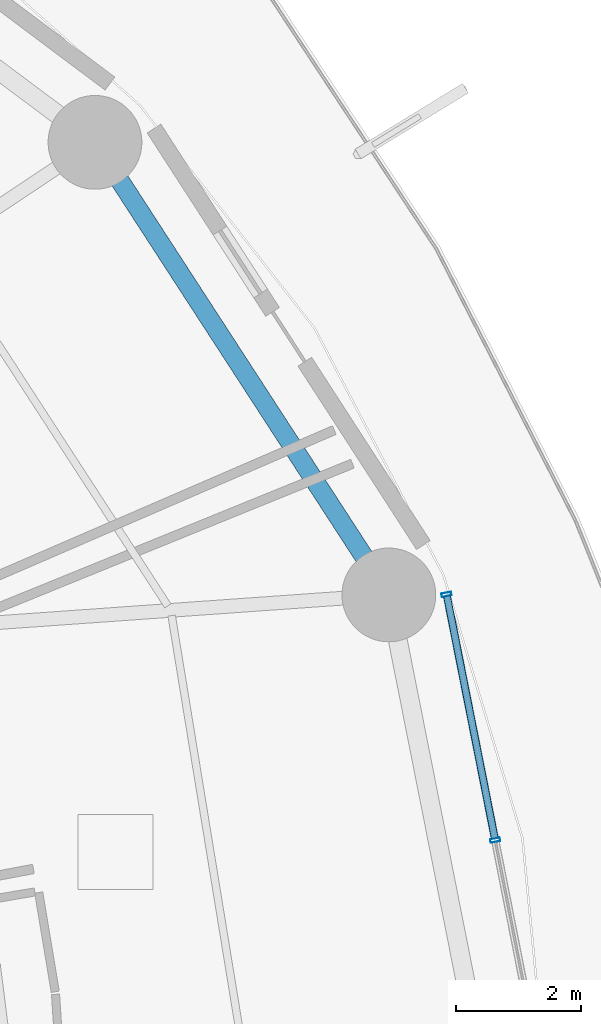
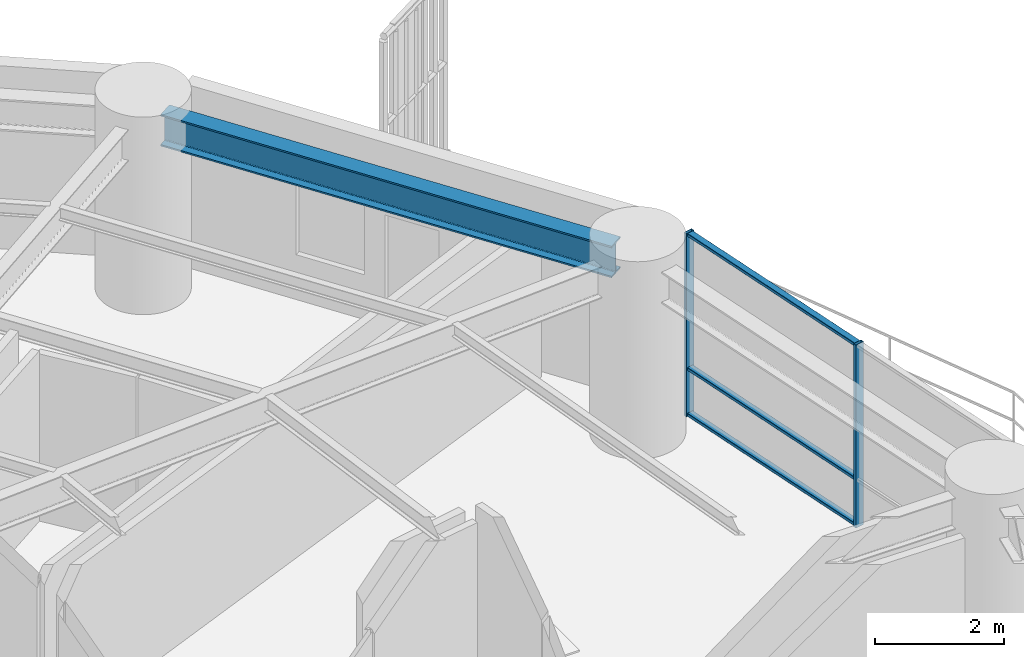
# One storey, part 20 of 34: 5 members, 1 beam, 1 element without a shape of its own.
"""IFC4 building model written with IfcOpenShell, lengths in metres."""

import ifcopenshell
import ifcopenshell.guid

model = None  # the IFC model being written
_history = None  # IfcOwnerHistory: only IFC2X3 demands one
_inside = {}  # id of a spatial element -> (the spatial element, [elements in it])
_under = {}  # id of a project, library or spatial element -> (it, [spatial elements below it])
_declared = {}  # id of a project -> (the project, [libraries it declares])
_typed = {}  # id of a type object -> (the type object, [elements of that type])
_made_of = {}  # id of a material, layer set ... -> (it, [elements and type objects made of it])


def new_model(schema):
    """Start an empty IFC model of exactly this schema.

    Asked for "IFC4X3", IfcOpenShell would pick the latest addendum, in which some entities
    have other attributes; the version numbers below select the first issue.
    IFC2X3 requires an IfcOwnerHistory on every rooted entity: one is made here for all.
    """
    global model, _history
    if schema == "IFC4X3":
        model = ifcopenshell.file(schema_version=(4, 3, 0, 0))
    else:
        model = ifcopenshell.file(schema=schema)
    _inside.clear()
    _under.clear()
    _declared.clear()
    _typed.clear()
    _made_of.clear()
    _history = None
    if model.schema == "IFC2X3":
        org = make("IfcOrganization", Name="unknown")
        user = make(
            "IfcPersonAndOrganization",
            ThePerson=make("IfcPerson", FamilyName="unknown"),
            TheOrganization=org,
        )
        app = make(
            "IfcApplication",
            ApplicationDeveloper=org,
            Version="unknown",
            ApplicationFullName="unknown",
            ApplicationIdentifier="unknown",
        )
        _history = make(
            "IfcOwnerHistory",
            OwningUser=user,
            OwningApplication=app,
            ChangeAction="ADDED",
            CreationDate=0,
        )
    return model


def make(cls, **values):
    """One entity of the class cls with the attributes given. An attribute that is None is left unset."""
    return model.create_entity(
        cls, **{name: value for name, value in values.items() if value is not None}
    )


def rooted(cls, **values):
    """An entity with a GlobalId (a new one), such as an element, a storey or a relation."""
    return make(cls, GlobalId=ifcopenshell.guid.new(), OwnerHistory=_history, **values)


def si_unit(unit_type, name, prefix=None):
    """IfcSIUnit, for example si_unit("LENGTHUNIT", "METRE", prefix="MILLI")."""
    return make("IfcSIUnit", UnitType=unit_type, Prefix=prefix, Name=name)


def assignment(units):
    """IfcUnitAssignment: the units of a project."""
    return None if units is None else make("IfcUnitAssignment", Units=units)


def point(xyz):
    """IfcCartesianPoint."""
    return None if xyz is None else make("IfcCartesianPoint", Coordinates=xyz)


def direction(xyz):
    """IfcDirection."""
    return None if xyz is None else make("IfcDirection", DirectionRatios=xyz)


def frame(location, z_axis=None, x_axis=None):
    """IfcAxis2Placement3D, a coordinate frame: its origin and axes. An axis left out is left unset."""
    return make(
        "IfcAxis2Placement3D",
        Location=point(location),
        Axis=direction(z_axis),
        RefDirection=direction(x_axis),
    )


def frame_2d(location, x_axis=None):
    """IfcAxis2Placement2D, a coordinate frame in the plane: its origin and x axis."""
    return make(
        "IfcAxis2Placement2D", Location=point(location), RefDirection=direction(x_axis)
    )


def origin():
    """The frame at (0, 0, 0) with its axes left unset."""
    return frame((0.0, 0.0, 0.0))


def origin_2d():
    """The frame at (0, 0) in the plane with its x axis left unset."""
    return frame_2d((0.0, 0.0))


def place(relative_to, where):
    """IfcLocalPlacement: puts the frame where relative to a parent placement (None: the world)."""
    return make(
        "IfcLocalPlacement", PlacementRelTo=relative_to, RelativePlacement=where
    )


def context(
    kind, dimensions, precision=None, world=None, true_north=None, identifier=None
):
    """IfcGeometricRepresentationContext, for example the 3D "Model" context."""
    return make(
        "IfcGeometricRepresentationContext",
        ContextIdentifier=identifier,
        ContextType=kind,
        CoordinateSpaceDimension=dimensions,
        Precision=precision,
        WorldCoordinateSystem=world,
        TrueNorth=true_north,
    )


def subcontext(parent, identifier, kind, view, scale=None):
    """IfcGeometricRepresentationSubContext, for example "Body" below "Model"."""
    return make(
        "IfcGeometricRepresentationSubContext",
        ContextIdentifier=identifier,
        ContextType=kind,
        ParentContext=parent,
        TargetScale=scale,
        TargetView=view,
    )


def project(units=None, contexts=None):
    """IfcProject with its units and contexts."""
    return rooted(
        "IfcProject",
        Name="project",
        RepresentationContexts=contexts,
        UnitsInContext=assignment(units),
    )


def spatial(cls, under=None, at=None, **own):
    """A site, building, storey or space (cls), placed at a placement, below another one or the project."""
    s = rooted(cls, ObjectPlacement=at, **own)
    if under is not None:
        _under.setdefault(under.id(), (under, []))[1].append(s)
    return s


def profile(cls, at=None, kind="AREA", **sizes):
    """A parametric profile (cls). Its sizes go by their IFC names, for example OverallWidth=200.0."""
    return make(cls, ProfileType=kind, Position=at, **sizes)


def hollow_rectangle(**sizes):
    """IfcRectangleHollowProfileDef."""
    return profile("IfcRectangleHollowProfileDef", **sizes)


def i_section(**sizes):
    """IfcIShapeProfileDef."""
    return profile("IfcIShapeProfileDef", **sizes)


def extrude(swept, where, along, depth):
    """IfcExtrudedAreaSolid: the profile swept, set in the frame where, extruded along a direction by depth."""
    return make(
        "IfcExtrudedAreaSolid",
        SweptArea=swept,
        Position=where,
        ExtrudedDirection=direction(along),
        Depth=depth,
    )


def shape(context_of_items, identifier, shape_type, items):
    """IfcShapeRepresentation: the items that make up one representation, for example the "Body"."""
    return make(
        "IfcShapeRepresentation",
        ContextOfItems=context_of_items,
        RepresentationIdentifier=identifier,
        RepresentationType=shape_type,
        Items=items,
    )


def material(Name=None, Category=None):
    """IfcMaterial."""
    return make("IfcMaterial", Name=Name, Category=Category)


def layer(
    of_material, thickness, ventilated=None, Name=None, Category=None, Priority=None
):
    """IfcMaterialLayer: one layer of a wall or slab, of a material (None: an air gap)."""
    return make(
        "IfcMaterialLayer",
        Material=of_material,
        LayerThickness=thickness,
        IsVentilated=ventilated,
        Name=Name,
        Category=Category,
        Priority=Priority,
    )


def layer_set(layers, Name=None):
    """IfcMaterialLayerSet."""
    return make("IfcMaterialLayerSet", MaterialLayers=layers, LayerSetName=Name)


def material_profile(
    of_material, cross_section, Name=None, Category=None, Priority=None
):
    """IfcMaterialProfile: a cross section and its material."""
    return make(
        "IfcMaterialProfile",
        Name=Name,
        Material=of_material,
        Profile=cross_section,
        Priority=Priority,
        Category=Category,
    )


def profile_set(profiles, Name=None, composite=None):
    """IfcMaterialProfileSet."""
    return make(
        "IfcMaterialProfileSet",
        Name=Name,
        MaterialProfiles=profiles,
        CompositeProfile=composite,
    )


def made_of(thing, what):
    """Note that an element or type object is made of a material, layer set ...; save() writes the relation."""
    if what is not None:
        _made_of.setdefault(what.id(), (what, []))[1].append(thing)
    return thing


def type_object(cls, material=None, **own):
    """A type object (cls), such as IfcWallType, which elements share."""
    return made_of(rooted(cls, **own), material)


def element(
    cls,
    number,
    at=None,
    inside=None,
    cuts=None,
    type_object=None,
    material=None,
    context=None,
    identifier="Body",
    shape_type=None,
    held_by="IfcProductDefinitionShape",
    body=None,
    shapes=None,
    **own,
):
    """One element of the class cls, such as IfcWall. Its Tag is "e" and its number.

    at: its placement. inside: the storey or other place that contains it. cuts: it is an
    opening in that element (IfcRelVoidsElement). A single representation is given by context,
    identifier, shape_type and body (its items); several are given by shapes. held_by: the class
    of the entity that holds the representations. save() writes the other relations.
    """
    e = rooted(cls, Tag="e%d" % number, ObjectPlacement=at, **own)
    if body is not None:
        shapes = [shape(context, identifier, shape_type, body)]
    if shapes is not None:
        e.Representation = make(held_by, Representations=shapes)
    if inside is not None:
        _inside.setdefault(inside.id(), (inside, []))[1].append(e)
    if cuts is not None:
        rooted(
            "IfcRelVoidsElement", RelatingBuildingElement=cuts, RelatedOpeningElement=e
        )
    if type_object is not None:
        _typed.setdefault(type_object.id(), (type_object, []))[1].append(e)
    return made_of(e, material)


def aggregate(whole, parts):
    """IfcRelAggregates: a whole, such as a stair, and the parts it consists of."""
    return rooted("IfcRelAggregates", RelatingObject=whole, RelatedObjects=parts)


def save(model, path):
    """Write the relations noted so far, then the file.

    IfcRelAggregates (storeys below a building ...), IfcRelContainedInSpatialStructure (elements
    in a storey), IfcRelDefinesByType, IfcRelAssociatesMaterial and IfcRelDeclares: one each for
    every whole, place, type object, material and project.
    """
    for whole, parts in _under.values():
        aggregate(whole, parts)
    for where, things in _inside.values():
        rooted(
            "IfcRelContainedInSpatialStructure",
            RelatedElements=things,
            RelatingStructure=where,
        )
    for kind, things in _typed.values():
        rooted("IfcRelDefinesByType", RelatedObjects=things, RelatingType=kind)
    for what, things in _made_of.values():
        rooted("IfcRelAssociatesMaterial", RelatedObjects=things, RelatingMaterial=what)
    for by, libraries in _declared.values():
        rooted("IfcRelDeclares", RelatingContext=by, RelatedDefinitions=libraries)
    model.write(path)


model = new_model("IFC4")

# Units and contexts
model_context = context("Model", 3, precision=1e-05, world=origin(), true_north=direction((0.0, 1.0)))
body_context = subcontext(model_context, "Body", "Model", "MODEL_VIEW")
ifc_project = project(units=[si_unit("LENGTHUNIT", "METRE"), si_unit("AREAUNIT", "SQUARE_METRE"), si_unit("VOLUMEUNIT", "CUBIC_METRE"), si_unit("PLANEANGLEUNIT", "RADIAN"), si_unit("MASSUNIT", "GRAM", prefix="KILO")], contexts=[model_context])

# Site, building, storey
site_placement = place(None, origin())
site = spatial("IfcSite", under=ifc_project, at=site_placement, CompositionType="ELEMENT")
building_placement = place(site_placement, origin())
building = spatial("IfcBuilding", under=site, at=building_placement, Name="Kelanora Arch Commons", CompositionType="ELEMENT")
storey_placement = place(building_placement, frame((0.0, 0.0, 30.0)))
storey = spatial("IfcBuildingStorey", under=building, at=storey_placement, Name="L07", CompositionType="ELEMENT", Elevation=30.0)

# Beam
ifc_material_1 = material(Name="Steel S355", Category="steel")
ifc_material_profile_1 = material_profile(ifc_material_1, i_section(OverallWidth=0.300048828125, OverallDepth=0.60009765625, WebThickness=0.015380859375, FlangeThickness=0.030029296875, FilletRadius=0.027099609375, at=origin_2d()), Name="HEB600")
ifc_profile_set_1 = profile_set([ifc_material_profile_1], Name="Steel S355")
beam_type = type_object("IfcBeamType", Name="BM-SPN-Z1", PredefinedType="SPANDREL", material=ifc_profile_set_1)
beam_placement = place(storey_placement, frame((99.239990234375, 66.554443359375, 3.18994140625), z_axis=(-0.54455786519, 0.838723274662, 0.0), x_axis=(-0.838723274662, -0.54455786519, 0.0)))
element("IfcBeam", 1, at=beam_placement, inside=storey, type_object=beam_type, Name="Perimeter Spandrel Beam BS-02 L07", PredefinedType="SPANDREL", context=body_context, shape_type="SweptSolid", body=[
    extrude(i_section(OverallWidth=0.300048828125, OverallDepth=0.60009765625, WebThickness=0.015380859375, FlangeThickness=0.030029296875, FilletRadius=0.027099609375, at=origin_2d()), origin(), (0.0, 0.0, 1.0), 7.875244140625),
])

# Curtain wall, members
ifc_material_2 = material(Name="Terracotta ceramic-fritted low-E glass and aluminium", Category="masonry")
ifc_layer = layer(ifc_material_2, 0.159912109375)
ifc_layer_set = layer_set([ifc_layer], Name="Terracotta ceramic-fritted low-E glass and aluminium")
curtain_wall_type = type_object("IfcCurtainWallType", Name="CW-SYS-01", PredefinedType="NOTDEFINED", material=ifc_layer_set)
curtain_wall_placement = place(storey_placement, origin())
curtain_wall = element("IfcCurtainWall", 2, at=curtain_wall_placement, inside=storey, type_object=curtain_wall_type, Name="Unitised Curtain Wall L07-B00", PredefinedType="NOTDEFINED")
ifc_material_3 = material(Name="Powder-coated aluminium terracotta", Category="masonry")
ifc_material_profile_2 = material_profile(ifc_material_3, hollow_rectangle(XDim=0.159912109375, YDim=0.06005859375, WallThickness=0.0048828125, InnerFilletRadius=0.0048828125, OuterFilletRadius=0.010009765625, at=origin_2d()), Name="CWM160x60")
ifc_profile_set_2 = profile_set([ifc_material_profile_2], Name="Powder-coated aluminium terracotta")
member_type_1 = type_object("IfcMemberType", Name="CWM-STD", PredefinedType="MULLION", material=ifc_profile_set_2)
member_1_placement = place(storey_placement, frame((101.1484375, 62.3115234375, 0.0), z_axis=(0.0, 0.0, 1.0), x_axis=(-0.981052110579, -0.193744048498, 0.0)))
member_1 = element("IfcMember", 3, at=member_1_placement, type_object=member_type_1, Name="CW-01 mullion 2", PredefinedType="MULLION", context=body_context, shape_type="SweptSolid", body=[
    extrude(hollow_rectangle(XDim=0.159912109375, YDim=0.06005859375, WallThickness=0.0048828125, InnerFilletRadius=0.0048828125, OuterFilletRadius=0.010009765625, at=origin_2d()), origin(), (0.0, 0.0, 1.0), 3.47509765625),
])
member_2_placement = place(storey_placement, frame((100.371826171875, 66.243896484375, 0.0), z_axis=(0.0, 0.0, 1.0), x_axis=(-0.981052110579, -0.193744048498, 0.0)))
member_2 = element("IfcMember", 4, at=member_2_placement, type_object=member_type_1, Name="CW-01 mullion 3", PredefinedType="MULLION", context=body_context, shape_type="SweptSolid", body=[
    extrude(hollow_rectangle(XDim=0.159912109375, YDim=0.06005859375, WallThickness=0.0048828125, InnerFilletRadius=0.0048828125, OuterFilletRadius=0.010009765625, at=origin_2d()), origin(), (0.0, 0.0, 1.0), 3.47509765625),
])
ifc_material_profile_3 = material_profile(ifc_material_3, hollow_rectangle(XDim=0.1201171875, YDim=0.06005859375, WallThickness=0.0048828125, InnerFilletRadius=0.0048828125, OuterFilletRadius=0.010009765625, at=origin_2d()), Name="CWT120x60")
ifc_profile_set_3 = profile_set([ifc_material_profile_3], Name="Powder-coated aluminium terracotta")
member_type_2 = type_object("IfcMemberType", Name="CWT-STD", PredefinedType="USERDEFINED", material=ifc_profile_set_3)
member_3_placement = place(storey_placement, frame((101.142578125, 62.3408203125, 0.030029296875), z_axis=(-0.193725436624, 0.98105578598, 0.0), x_axis=(-0.98105578598, -0.193725436624, 0.0)))
member_3 = element("IfcMember", 5, at=member_3_placement, type_object=member_type_2, Name="CW-01 transom 2.1", ObjectType="TRANSOM", PredefinedType="USERDEFINED", context=body_context, shape_type="SweptSolid", body=[
    extrude(hollow_rectangle(XDim=0.1201171875, YDim=0.06005859375, WallThickness=0.0048828125, InnerFilletRadius=0.0048828125, OuterFilletRadius=0.010009765625, at=origin_2d()), origin(), (0.0, 0.0, 1.0), 3.9482421875),
])
member_4_placement = place(storey_placement, frame((101.142578125, 62.3408203125, 0.89990234375), z_axis=(-0.193725436624, 0.98105578598, 0.0), x_axis=(-0.98105578598, -0.193725436624, 0.0)))
member_4 = element("IfcMember", 6, at=member_4_placement, type_object=member_type_2, Name="CW-01 transom 2.2", ObjectType="TRANSOM", PredefinedType="USERDEFINED", context=body_context, shape_type="SweptSolid", body=[
    extrude(hollow_rectangle(XDim=0.1201171875, YDim=0.06005859375, WallThickness=0.0048828125, InnerFilletRadius=0.0048828125, OuterFilletRadius=0.010009765625, at=origin_2d()), origin(), (0.0, 0.0, 1.0), 3.9482421875),
])
member_5_placement = place(storey_placement, frame((101.142578125, 62.3408203125, 3.445068359375), z_axis=(-0.193725436624, 0.98105578598, 0.0), x_axis=(-0.98105578598, -0.193725436624, 0.0)))
member_5 = element("IfcMember", 7, at=member_5_placement, type_object=member_type_2, Name="CW-01 transom 2.3", ObjectType="TRANSOM", PredefinedType="USERDEFINED", context=body_context, shape_type="SweptSolid", body=[
    extrude(hollow_rectangle(XDim=0.1201171875, YDim=0.06005859375, WallThickness=0.0048828125, InnerFilletRadius=0.0048828125, OuterFilletRadius=0.010009765625, at=origin_2d()), origin(), (0.0, 0.0, 1.0), 3.9482421875),
])
aggregate(curtain_wall, [member_1, member_2, member_3, member_4, member_5])

save(model, "model.ifc")
